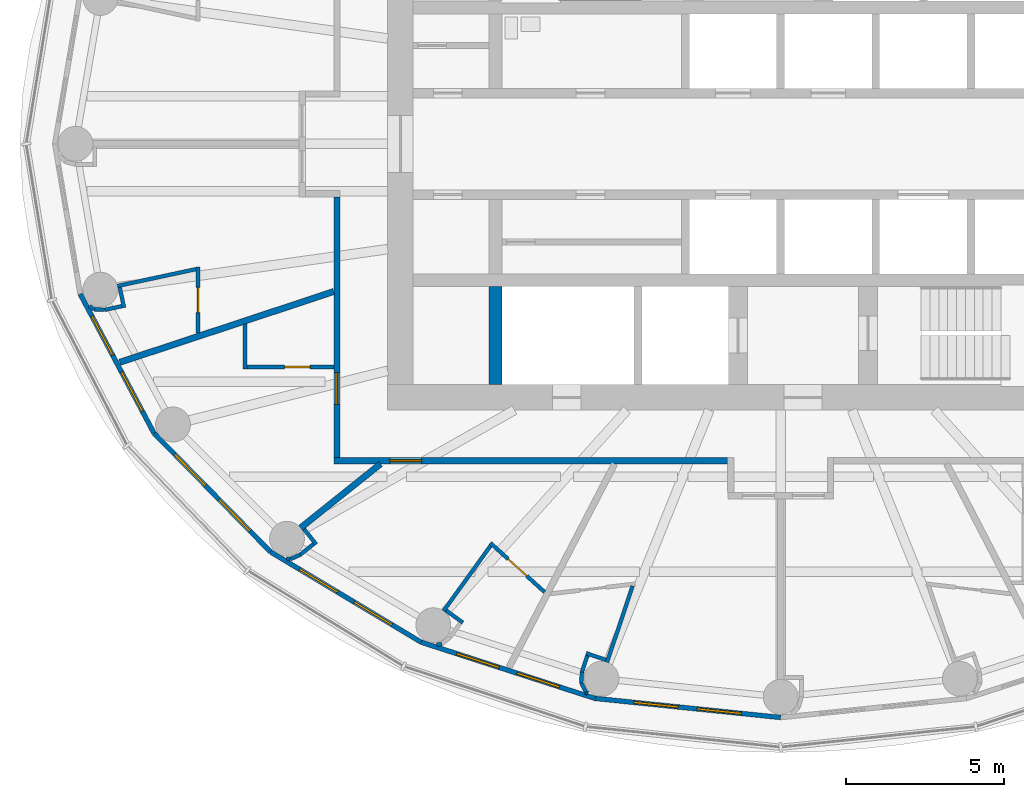
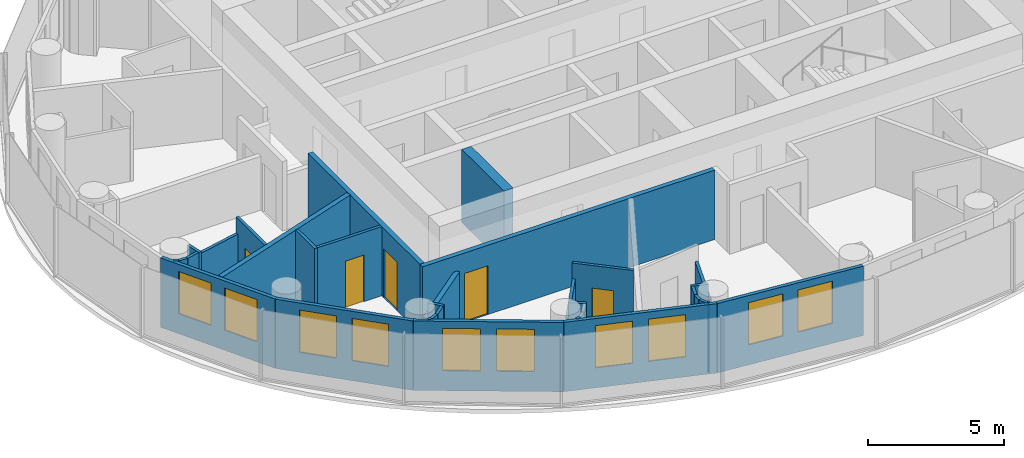
# One storey, part 6 of 16: 32 walls, 10 windows, 5 doors, 15 openings.
"""IFC4 building model written with IfcOpenShell, lengths in metres."""

from ifc_helpers import new_model, si_unit, direction, frame, frame_2d, origin, place, context, subcontext, project, spatial, rectangle, extrude, material, layer, layer_set, type_object, element, fill, save


model = new_model("IFC4")

# Units and contexts
model_context = context("Model", 3, precision=1e-05, world=origin(), true_north=direction((0.0, 1.0)))
body_context = subcontext(model_context, "Body", "Model", "MODEL_VIEW")
ifc_project = project(units=[si_unit("LENGTHUNIT", "METRE"), si_unit("AREAUNIT", "SQUARE_METRE"), si_unit("VOLUMEUNIT", "CUBIC_METRE"), si_unit("PLANEANGLEUNIT", "RADIAN"), si_unit("MASSUNIT", "GRAM", prefix="KILO")], contexts=[model_context])

# Site, building, storey
site_placement = place(None, origin())
site = spatial("IfcSite", under=ifc_project, at=site_placement, CompositionType="ELEMENT")
building_placement = place(site_placement, origin())
building = spatial("IfcBuilding", under=site, at=building_placement, Name="Hankou Lantern Tower", CompositionType="ELEMENT")
storey_placement = place(building_placement, frame((0.0, 0.0, 146.699951171875)))
storey = spatial("IfcBuildingStorey", under=building, at=storey_placement, Name="L38", CompositionType="ELEMENT", Elevation=146.699951171875)

# Wall
ifc_material_1 = material(Name="Concrete C60", Category="concrete")
ifc_layer_1 = layer(ifc_material_1, 0.39990234375)
ifc_layer_set_1 = layer_set([ifc_layer_1], Name="Concrete C60")
wall_type_1 = type_object("IfcWallType", Name="CW4 CORE CROSS WALL 400", PredefinedType="SHEAR", material=ifc_layer_set_1)
wall_1_placement = place(storey_placement, frame((-9.0, -7.60009765625, 0.0), z_axis=(0.0, 0.0, 1.0), x_axis=(0.0, 1.0, 0.0)))
element("IfcWall", 1, at=wall_1_placement, inside=storey, type_object=wall_type_1, Name="Core strip wall L38", PredefinedType="SHEAR", context=body_context, shape_type="SweptSolid", body=[
    extrude(rectangle(XDim=3.10009765625, YDim=0.39990234375, at=frame_2d((1.550048828125, 0.0))), origin(), (0.0, 0.0, 1.0), 3.300048828125),
])

# Wall, openings, windows
ifc_material_2 = material(Name="Aluminium spandrel panel on steel studs", Category="steel")
ifc_layer_2 = layer(ifc_material_2, 0.14990234375)
ifc_layer_set_2 = layer_set([ifc_layer_2], Name="Aluminium spandrel panel on steel studs")
wall_type_2 = type_object("IfcWallType", Name="EW1 INNER SKIN WALL 150", PredefinedType="ELEMENTEDWALL", material=ifc_layer_set_2)
wall_2_placement = place(storey_placement, frame((-22.1015625, -4.73779296875, 0.0), z_axis=(0.0, 0.0, 1.0), x_axis=(0.468428906714, -0.883501193748, 0.0)))
wall_2 = element("IfcWall", 2, at=wall_2_placement, inside=storey, type_object=wall_type_2, Name="Inner skin R14-R15 L38", PredefinedType="ELEMENTEDWALL", context=body_context, shape_type="SweptSolid", body=[
    extrude(rectangle(XDim=4.9736328125, YDim=0.14990234375, at=frame_2d((2.48681640625, 0.0))), origin(), (0.0, 0.0, 1.0), 3.1201171875),
])
opening_1_placement = place(wall_2_placement, frame((0.786865234375, 0.0, 0.89990234375)))
opening_1 = element("IfcOpeningElement", 3, at=opening_1_placement, cuts=wall_2, Name="Opening W3", PredefinedType="OPENING", context=body_context, shape_type="SweptSolid", body=[
    extrude(rectangle(XDim=1.39990234375, YDim=1.89990234375, at=frame_2d((0.699951171875, 0.949951171875))), frame((0.0, 0.0849609375, 0.0), z_axis=(0.0, -1.0, 0.0), x_axis=(1.0, 0.0, 0.0)), (0.0, 0.0, 1.0), 0.169921875),
])
opening_2_placement = place(wall_2_placement, frame((2.786865234375, 0.0, 0.89990234375)))
opening_2 = element("IfcOpeningElement", 4, at=opening_2_placement, cuts=wall_2, Name="Opening W3", PredefinedType="OPENING", context=body_context, shape_type="SweptSolid", body=[
    extrude(rectangle(XDim=1.39990234375, YDim=1.89990234375, at=frame_2d((0.699951171875, 0.949951171875))), frame((0.0, 0.0849609375, 0.0), z_axis=(0.0, -1.0, 0.0), x_axis=(1.0, 0.0, 0.0)), (0.0, 0.0, 1.0), 0.169921875),
])
ifc_material_3 = material(Name="Aluminium framed double glazed window", Category="aluminium")
window_type = type_object("IfcWindowType", Name="W3 GUEST ROOM WINDOW 1400X1900", PartitioningType="DOUBLE_PANEL_VERTICAL", PredefinedType="WINDOW", material=ifc_material_3)
window_1_placement = place(opening_1_placement, origin())
window_1 = element("IfcWindow", 5, at=window_1_placement, inside=storey, type_object=window_type, Name="Window R14.1 L38", OverallHeight=1.89990234375, OverallWidth=1.39990234375, PartitioningType="SINGLE_PANEL", PredefinedType="WINDOW", context=body_context, shape_type="SweptSolid", body=[
    extrude(rectangle(XDim=1.39990234375, YDim=1.89990234375, at=frame_2d((0.699951171875, 0.949951171875))), frame((0.0, 0.030029296875, 0.0), z_axis=(0.0, -1.0, 0.0), x_axis=(1.0, 0.0, 0.0)), (0.0, 0.0, 1.0), 0.06005859375),
])
fill(opening_1, window_1)
window_2_placement = place(opening_2_placement, origin())
window_2 = element("IfcWindow", 6, at=window_2_placement, inside=storey, type_object=window_type, Name="Window R14.2 L38", OverallHeight=1.89990234375, OverallWidth=1.39990234375, PartitioningType="SINGLE_PANEL", PredefinedType="WINDOW", context=body_context, shape_type="SweptSolid", body=[
    extrude(rectangle(XDim=1.39990234375, YDim=1.89990234375, at=frame_2d((0.699951171875, 0.949951171875))), frame((0.0, 0.030029296875, 0.0), z_axis=(0.0, -1.0, 0.0), x_axis=(1.0, 0.0, 0.0)), (0.0, 0.0, 1.0), 0.06005859375),
])
fill(opening_2, window_2)

wall_3_placement = place(storey_placement, frame((-19.771728515625, -9.132080078125, 0.0), z_axis=(0.0, 0.0, 1.0), x_axis=(0.700727467776, -0.71342905457, 0.0)))
wall_3 = element("IfcWall", 7, at=wall_3_placement, inside=storey, type_object=wall_type_2, Name="Inner skin R15-R16 L38", PredefinedType="ELEMENTEDWALL", context=body_context, shape_type="SweptSolid", body=[
    extrude(rectangle(XDim=5.247314453125, YDim=0.14990234375, at=frame_2d((2.62353515625, 0.0))), origin(), (0.0, 0.0, 1.0), 3.1201171875),
])
opening_3_placement = place(wall_3_placement, frame((0.923583984375, 0.0, 0.89990234375)))
opening_3 = element("IfcOpeningElement", 8, at=opening_3_placement, cuts=wall_3, Name="Opening W3", PredefinedType="OPENING", context=body_context, shape_type="SweptSolid", body=[
    extrude(rectangle(XDim=1.39990234375, YDim=1.89990234375, at=frame_2d((0.699951171875, 0.949951171875))), frame((0.0, 0.0849609375, 0.0), z_axis=(0.0, -1.0, 0.0), x_axis=(1.0, 0.0, 0.0)), (0.0, 0.0, 1.0), 0.169921875),
])
opening_4_placement = place(wall_3_placement, frame((2.923583984375, 0.0, 0.89990234375)))
opening_4 = element("IfcOpeningElement", 9, at=opening_4_placement, cuts=wall_3, Name="Opening W3", PredefinedType="OPENING", context=body_context, shape_type="SweptSolid", body=[
    extrude(rectangle(XDim=1.39990234375, YDim=1.89990234375, at=frame_2d((0.699951171875, 0.949951171875))), frame((0.0, 0.0849609375, 0.0), z_axis=(0.0, -1.0, 0.0), x_axis=(1.0, 0.0, 0.0)), (0.0, 0.0, 1.0), 0.169921875),
])
window_3_placement = place(opening_3_placement, origin())
window_3 = element("IfcWindow", 10, at=window_3_placement, inside=storey, type_object=window_type, Name="Window R15.1 L38", OverallHeight=1.89990234375, OverallWidth=1.39990234375, PartitioningType="SINGLE_PANEL", PredefinedType="WINDOW", context=body_context, shape_type="SweptSolid", body=[
    extrude(rectangle(XDim=1.39990234375, YDim=1.89990234375, at=frame_2d((0.699951171875, 0.949951171875))), frame((0.0, 0.030029296875, 0.0), z_axis=(0.0, -1.0, 0.0), x_axis=(1.0, 0.0, 0.0)), (0.0, 0.0, 1.0), 0.06005859375),
])
fill(opening_3, window_3)
window_4_placement = place(opening_4_placement, origin())
window_4 = element("IfcWindow", 11, at=window_4_placement, inside=storey, type_object=window_type, Name="Window R15.2 L38", OverallHeight=1.89990234375, OverallWidth=1.39990234375, PartitioningType="SINGLE_PANEL", PredefinedType="WINDOW", context=body_context, shape_type="SweptSolid", body=[
    extrude(rectangle(XDim=1.39990234375, YDim=1.89990234375, at=frame_2d((0.699951171875, 0.949951171875))), frame((0.0, 0.030029296875, 0.0), z_axis=(0.0, -1.0, 0.0), x_axis=(1.0, 0.0, 0.0)), (0.0, 0.0, 1.0), 0.06005859375),
])
fill(opening_4, window_4)

wall_4_placement = place(storey_placement, frame((-16.0947265625, -12.875732421875, 0.0), z_axis=(0.0, 0.0, 1.0), x_axis=(0.857695199231, -0.514158482587, 0.0)))
wall_4 = element("IfcWall", 12, at=wall_4_placement, inside=storey, type_object=wall_type_2, Name="Inner skin R16-R17 L38", PredefinedType="ELEMENTEDWALL", context=body_context, shape_type="SweptSolid", body=[
    extrude(rectangle(XDim=5.5361328125, YDim=0.14990234375, at=frame_2d((2.76806640625, 0.0))), origin(), (0.0, 0.0, 1.0), 3.1201171875),
])
opening_5_placement = place(wall_4_placement, frame((1.068115234375, 0.0, 0.89990234375)))
opening_5 = element("IfcOpeningElement", 13, at=opening_5_placement, cuts=wall_4, Name="Opening W3", PredefinedType="OPENING", context=body_context, shape_type="SweptSolid", body=[
    extrude(rectangle(XDim=1.39990234375, YDim=1.89990234375, at=frame_2d((0.699951171875, 0.949951171875))), frame((0.0, 0.0849609375, 0.0), z_axis=(0.0, -1.0, 0.0), x_axis=(1.0, 0.0, 0.0)), (0.0, 0.0, 1.0), 0.169921875),
])
opening_6_placement = place(wall_4_placement, frame((3.068115234375, 0.0, 0.89990234375)))
opening_6 = element("IfcOpeningElement", 14, at=opening_6_placement, cuts=wall_4, Name="Opening W3", PredefinedType="OPENING", context=body_context, shape_type="SweptSolid", body=[
    extrude(rectangle(XDim=1.39990234375, YDim=1.89990234375, at=frame_2d((0.699951171875, 0.949951171875))), frame((0.0, 0.0849609375, 0.0), z_axis=(0.0, -1.0, 0.0), x_axis=(1.0, 0.0, 0.0)), (0.0, 0.0, 1.0), 0.169921875),
])
window_5_placement = place(opening_5_placement, origin())
window_5 = element("IfcWindow", 15, at=window_5_placement, inside=storey, type_object=window_type, Name="Window R16.1 L38", OverallHeight=1.89990234375, OverallWidth=1.39990234375, PartitioningType="SINGLE_PANEL", PredefinedType="WINDOW", context=body_context, shape_type="SweptSolid", body=[
    extrude(rectangle(XDim=1.39990234375, YDim=1.89990234375, at=frame_2d((0.699951171875, 0.949951171875))), frame((0.0, 0.030029296875, 0.0), z_axis=(0.0, -1.0, 0.0), x_axis=(1.0, 0.0, 0.0)), (0.0, 0.0, 1.0), 0.06005859375),
])
fill(opening_5, window_5)
window_6_placement = place(opening_6_placement, origin())
window_6 = element("IfcWindow", 16, at=window_6_placement, inside=storey, type_object=window_type, Name="Window R16.2 L38", OverallHeight=1.89990234375, OverallWidth=1.39990234375, PartitioningType="SINGLE_PANEL", PredefinedType="WINDOW", context=body_context, shape_type="SweptSolid", body=[
    extrude(rectangle(XDim=1.39990234375, YDim=1.89990234375, at=frame_2d((0.699951171875, 0.949951171875))), frame((0.0, 0.030029296875, 0.0), z_axis=(0.0, -1.0, 0.0), x_axis=(1.0, 0.0, 0.0)), (0.0, 0.0, 1.0), 0.06005859375),
])
fill(opening_6, window_6)

wall_5_placement = place(storey_placement, frame((-11.346435546875, -15.72216796875, 0.0), z_axis=(0.0, 0.0, 1.0), x_axis=(0.951432482129, -0.307857486429, 0.0)))
wall_5 = element("IfcWall", 17, at=wall_5_placement, inside=storey, type_object=wall_type_2, Name="Inner skin R17-R18 L38", PredefinedType="ELEMENTEDWALL", context=body_context, shape_type="SweptSolid", body=[
    extrude(rectangle(XDim=5.76611328125, YDim=0.14990234375, at=frame_2d((2.883056640625, 0.0))), origin(), (0.0, 0.0, 1.0), 3.1201171875),
])
opening_7_placement = place(wall_5_placement, frame((1.18310546875, 0.0, 0.89990234375)))
opening_7 = element("IfcOpeningElement", 18, at=opening_7_placement, cuts=wall_5, Name="Opening W3", PredefinedType="OPENING", context=body_context, shape_type="SweptSolid", body=[
    extrude(rectangle(XDim=1.39990234375, YDim=1.89990234375, at=frame_2d((0.699951171875, 0.949951171875))), frame((0.0, 0.0849609375, 0.0), z_axis=(0.0, -1.0, 0.0), x_axis=(1.0, 0.0, 0.0)), (0.0, 0.0, 1.0), 0.169921875),
])
opening_8_placement = place(wall_5_placement, frame((3.18310546875, 0.0, 0.89990234375)))
opening_8 = element("IfcOpeningElement", 19, at=opening_8_placement, cuts=wall_5, Name="Opening W3", PredefinedType="OPENING", context=body_context, shape_type="SweptSolid", body=[
    extrude(rectangle(XDim=1.39990234375, YDim=1.89990234375, at=frame_2d((0.699951171875, 0.949951171875))), frame((0.0, 0.0849609375, 0.0), z_axis=(0.0, -1.0, 0.0), x_axis=(1.0, 0.0, 0.0)), (0.0, 0.0, 1.0), 0.169921875),
])
window_7_placement = place(opening_7_placement, origin())
window_7 = element("IfcWindow", 20, at=window_7_placement, inside=storey, type_object=window_type, Name="Window R17.1 L38", OverallHeight=1.89990234375, OverallWidth=1.39990234375, PartitioningType="SINGLE_PANEL", PredefinedType="WINDOW", context=body_context, shape_type="SweptSolid", body=[
    extrude(rectangle(XDim=1.39990234375, YDim=1.89990234375, at=frame_2d((0.699951171875, 0.949951171875))), frame((0.0, 0.030029296875, 0.0), z_axis=(0.0, -1.0, 0.0), x_axis=(1.0, 0.0, 0.0)), (0.0, 0.0, 1.0), 0.06005859375),
])
fill(opening_7, window_7)
window_8_placement = place(opening_8_placement, origin())
window_8 = element("IfcWindow", 21, at=window_8_placement, inside=storey, type_object=window_type, Name="Window R17.2 L38", OverallHeight=1.89990234375, OverallWidth=1.39990234375, PartitioningType="SINGLE_PANEL", PredefinedType="WINDOW", context=body_context, shape_type="SweptSolid", body=[
    extrude(rectangle(XDim=1.39990234375, YDim=1.89990234375, at=frame_2d((0.699951171875, 0.949951171875))), frame((0.0, 0.030029296875, 0.0), z_axis=(0.0, -1.0, 0.0), x_axis=(1.0, 0.0, 0.0)), (0.0, 0.0, 1.0), 0.06005859375),
])
fill(opening_8, window_8)

wall_6_placement = place(storey_placement, frame((-5.8603515625, -17.497314453125, 0.0), z_axis=(0.0, 0.0, 1.0), x_axis=(0.994751738032, -0.102318032045, 0.0)))
wall_6 = element("IfcWall", 22, at=wall_6_placement, inside=storey, type_object=wall_type_2, Name="Inner skin R18-R19 L38", PredefinedType="ELEMENTEDWALL", context=body_context, shape_type="SweptSolid", body=[
    extrude(rectangle(XDim=5.891357421875, YDim=0.14990234375, at=frame_2d((2.94580078125, 0.0))), origin(), (0.0, 0.0, 1.0), 3.1201171875),
])
opening_9_placement = place(wall_6_placement, frame((1.24560546875, 0.0, 0.89990234375)))
opening_9 = element("IfcOpeningElement", 23, at=opening_9_placement, cuts=wall_6, Name="Opening W3", PredefinedType="OPENING", context=body_context, shape_type="SweptSolid", body=[
    extrude(rectangle(XDim=1.39990234375, YDim=1.89990234375, at=frame_2d((0.699951171875, 0.949951171875))), frame((0.0, 0.0849609375, 0.0), z_axis=(0.0, -1.0, 0.0), x_axis=(1.0, 0.0, 0.0)), (0.0, 0.0, 1.0), 0.169921875),
])
opening_10_placement = place(wall_6_placement, frame((3.24560546875, 0.0, 0.89990234375)))
opening_10 = element("IfcOpeningElement", 24, at=opening_10_placement, cuts=wall_6, Name="Opening W3", PredefinedType="OPENING", context=body_context, shape_type="SweptSolid", body=[
    extrude(rectangle(XDim=1.39990234375, YDim=1.89990234375, at=frame_2d((0.699951171875, 0.949951171875))), frame((0.0, 0.0849609375, 0.0), z_axis=(0.0, -1.0, 0.0), x_axis=(1.0, 0.0, 0.0)), (0.0, 0.0, 1.0), 0.169921875),
])
window_9_placement = place(opening_9_placement, origin())
window_9 = element("IfcWindow", 25, at=window_9_placement, inside=storey, type_object=window_type, Name="Window R18.1 L38", OverallHeight=1.89990234375, OverallWidth=1.39990234375, PartitioningType="SINGLE_PANEL", PredefinedType="WINDOW", context=body_context, shape_type="SweptSolid", body=[
    extrude(rectangle(XDim=1.39990234375, YDim=1.89990234375, at=frame_2d((0.699951171875, 0.949951171875))), frame((0.0, 0.030029296875, 0.0), z_axis=(0.0, -1.0, 0.0), x_axis=(1.0, 0.0, 0.0)), (0.0, 0.0, 1.0), 0.06005859375),
])
fill(opening_9, window_9)
window_10_placement = place(opening_10_placement, origin())
window_10 = element("IfcWindow", 26, at=window_10_placement, inside=storey, type_object=window_type, Name="Window R18.2 L38", OverallHeight=1.89990234375, OverallWidth=1.39990234375, PartitioningType="SINGLE_PANEL", PredefinedType="WINDOW", context=body_context, shape_type="SweptSolid", body=[
    extrude(rectangle(XDim=1.39990234375, YDim=1.89990234375, at=frame_2d((0.699951171875, 0.949951171875))), frame((0.0, 0.030029296875, 0.0), z_axis=(0.0, -1.0, 0.0), x_axis=(1.0, 0.0, 0.0)), (0.0, 0.0, 1.0), 0.06005859375),
])
fill(opening_10, window_10)

# Walls
ifc_material_4 = material(Name="Masonry lightweight concrete block", Category="masonry")
ifc_layer_3 = layer(ifc_material_4, 0.199951171875)
ifc_layer_set_3 = layer_set([ifc_layer_3], Name="Masonry lightweight concrete block")
wall_type_3 = type_object("IfcWallType", Name="IW1 GUEST ROOM PARTY WALL 200", PredefinedType="PARTITIONING", material=ifc_layer_set_3)
wall_7_placement = place(storey_placement, frame((-14.10009765625, -4.661376953125, 0.0), z_axis=(0.0, 0.0, 1.0), x_axis=(-0.949453216399, -0.313908569285, 0.0)))
element("IfcWall", 27, at=wall_7_placement, inside=storey, type_object=wall_type_3, Name="Party wall R14-R15", PredefinedType="PARTITIONING", context=body_context, shape_type="SweptSolid", body=[
    extrude(rectangle(XDim=7.108642578125, YDim=0.199951171875, at=frame_2d((3.55419921875, 0.0))), origin(), (0.0, 0.0, 1.0), 3.1201171875),
])
wall_8_placement = place(storey_placement, frame((-12.625, -10.10009765625, 0.0), z_axis=(0.0, 0.0, 1.0), x_axis=(-0.780876185034, -0.624685827954, 0.0)))
element("IfcWall", 28, at=wall_8_placement, inside=storey, type_object=wall_type_3, Name="Party wall R16", PredefinedType="PARTITIONING", context=body_context, shape_type="SweptSolid", body=[
    extrude(rectangle(XDim=3.229248046875, YDim=0.199951171875, at=frame_2d((1.61474609375, 0.0))), origin(), (0.0, 0.0, 1.0), 2.420166015625),
])

# Wall, opening, door
ifc_material_5 = material(Name="Masonry lightweight concrete block", Category="masonry")
ifc_layer_4 = layer(ifc_material_5, 0.199951171875)
ifc_layer_set_4 = layer_set([ifc_layer_4], Name="Masonry lightweight concrete block")
wall_type_4 = type_object("IfcWallType", Name="IW2 CORRIDOR WALL 200", PredefinedType="PARTITIONING", material=ifc_layer_set_4)
wall_9_placement = place(storey_placement, frame((-14.0, -1.669921875, 0.0), z_axis=(0.0, 0.0, 1.0), x_axis=(0.0, -1.0, 0.0)))
wall_9 = element("IfcWall", 29, at=wall_9_placement, inside=storey, type_object=wall_type_4, Name="Corridor wall west", PredefinedType="PARTITIONING", context=body_context, shape_type="SweptSolid", body=[
    extrude(rectangle(XDim=8.22998046875, YDim=0.199951171875, at=frame_2d((4.114990234375, 0.0))), origin(), (0.0, 0.0, 1.0), 3.1201171875),
])
opening_11_placement = place(wall_9_placement, frame((5.551513671875, 0.0, 0.0)))
opening_11 = element("IfcOpeningElement", 30, at=opening_11_placement, cuts=wall_9, Name="Opening D1", PredefinedType="OPENING", context=body_context, shape_type="SweptSolid", body=[
    extrude(rectangle(XDim=1.0, YDim=2.199951171875, at=frame_2d((0.5, 1.10009765625))), frame((0.0, 0.10986328125, 0.0), z_axis=(0.0, -1.0, 0.0), x_axis=(1.0, 0.0, 0.0)), (0.0, 0.0, 1.0), 0.219970703125),
])
ifc_material_6 = material(Name="Steel door leaf", Category="steel")
door_type_1 = type_object("IfcDoorType", Name="D1 GUEST ROOM DOOR 1000X2200", OperationType="SINGLE_SWING_LEFT", PredefinedType="DOOR", material=ifc_material_6)
door_1_placement = place(opening_11_placement, origin())
door_1 = element("IfcDoor", 31, at=door_1_placement, inside=storey, type_object=door_type_1, Name="Guest room door 3809", OperationType="SINGLE_SWING_RIGHT", OverallHeight=2.199951171875, OverallWidth=1.0, PredefinedType="DOOR", context=body_context, shape_type="SweptSolid", body=[
    extrude(rectangle(XDim=1.0, YDim=2.199951171875, at=frame_2d((0.5, 1.10009765625))), frame((0.0, 0.02490234375, 0.0), z_axis=(0.0, -1.0, 0.0), x_axis=(1.0, 0.0, 0.0)), (0.0, 0.0, 1.0), 0.050048828125),
])
fill(opening_11, door_1)

wall_10_placement = place(storey_placement, frame((-1.669921875, -10.0, 0.0), z_axis=(0.0, 0.0, 1.0), x_axis=(-1.0, 0.0, 0.0)))
wall_10 = element("IfcWall", 32, at=wall_10_placement, inside=storey, type_object=wall_type_4, Name="Corridor wall south", PredefinedType="PARTITIONING", context=body_context, shape_type="SweptSolid", body=[
    extrude(rectangle(XDim=12.43017578125, YDim=0.199951171875, at=frame_2d((6.215087890625, 0.0))), origin(), (0.0, 0.0, 1.0), 3.1201171875),
])
opening_12_placement = place(wall_10_placement, frame((9.655029296875, 0.0, 0.0)))
opening_12 = element("IfcOpeningElement", 33, at=opening_12_placement, cuts=wall_10, Name="Opening D1", PredefinedType="OPENING", context=body_context, shape_type="SweptSolid", body=[
    extrude(rectangle(XDim=1.0, YDim=2.199951171875, at=frame_2d((0.5, 1.10009765625))), frame((0.0, 0.10986328125, 0.0), z_axis=(0.0, -1.0, 0.0), x_axis=(1.0, 0.0, 0.0)), (0.0, 0.0, 1.0), 0.219970703125),
])
door_2_placement = place(opening_12_placement, origin())
door_2 = element("IfcDoor", 34, at=door_2_placement, inside=storey, type_object=door_type_1, Name="Guest room door 3810", OperationType="SINGLE_SWING_LEFT", OverallHeight=2.199951171875, OverallWidth=1.0, PredefinedType="DOOR", context=body_context, shape_type="SweptSolid", body=[
    extrude(rectangle(XDim=1.0, YDim=2.199951171875, at=frame_2d((0.5, 1.10009765625))), frame((0.0, 0.02490234375, 0.0), z_axis=(0.0, -1.0, 0.0), x_axis=(1.0, 0.0, 0.0)), (0.0, 0.0, 1.0), 0.050048828125),
])
fill(opening_12, door_2)

ifc_material_7 = material(Name="Masonry lightweight concrete block", Category="masonry")
ifc_layer_5 = layer(ifc_material_7, 0.1201171875)
ifc_layer_set_5 = layer_set([ifc_layer_5], Name="Masonry lightweight concrete block")
wall_type_5 = type_object("IfcWallType", Name="IW3 BATHROOM WALL 120", PredefinedType="PARTITIONING", material=ifc_layer_set_5)
wall_11_placement = place(storey_placement, frame((-18.380859375, -5.971435546875, 0.0), z_axis=(0.0, 0.0, 1.0), x_axis=(-0.000934142516, 0.999999563689, 0.0)))
wall_11 = element("IfcWall", 35, at=wall_11_placement, inside=storey, type_object=wall_type_5, Name="Box wall 3808 1", PredefinedType="PARTITIONING", context=body_context, shape_type="SweptSolid", body=[
    extrude(rectangle(XDim=2.0908203125, YDim=0.1201171875, at=frame_2d((1.04541015625, 0.0))), origin(), (0.0, 0.0, 1.0), 3.1201171875),
])
opening_13_placement = place(wall_11_placement, frame((0.6455078125, 0.0, 0.0)))
opening_13 = element("IfcOpeningElement", 36, at=opening_13_placement, cuts=wall_11, Name="Opening D3", PredefinedType="OPENING", context=body_context, shape_type="SweptSolid", body=[
    extrude(rectangle(XDim=0.800048828125, YDim=2.10009765625, at=frame_2d((0.39990234375, 1.050048828125))), frame((0.0, 0.070068359375, 0.0), z_axis=(0.0, -1.0, 0.0), x_axis=(1.0, 0.0, 0.0)), (0.0, 0.0, 1.0), 0.14013671875),
])
ifc_material_8 = material(Name="Timber door leaf", Category="wood")
door_type_2 = type_object("IfcDoorType", Name="D3 BATHROOM DOOR 800X2100", OperationType="SINGLE_SWING_LEFT", PredefinedType="DOOR", material=ifc_material_8)
door_3_placement = place(opening_13_placement, origin())
door_3 = element("IfcDoor", 37, at=door_3_placement, inside=storey, type_object=door_type_2, Name="En-suite bathroom 3808 door", OperationType="SINGLE_SWING_RIGHT", OverallHeight=2.10009765625, OverallWidth=0.800048828125, PredefinedType="DOOR", context=body_context, shape_type="SweptSolid", body=[
    extrude(rectangle(XDim=0.800048828125, YDim=2.10009765625, at=frame_2d((0.39990234375, 1.050048828125))), frame((0.0, 0.02490234375, 0.0), z_axis=(0.0, -1.0, 0.0), x_axis=(1.0, 0.0, 0.0)), (0.0, 0.0, 1.0), 0.050048828125),
])
fill(opening_13, door_3)

# Walls
wall_12_placement = place(storey_placement, frame((-18.44140625, -3.953125, 0.0), z_axis=(0.0, 0.0, 1.0), x_axis=(-0.977801007461, -0.209535652833, 0.0)))
element("IfcWall", 38, at=wall_12_placement, inside=storey, type_object=wall_type_5, Name="Box wall 3808 2", PredefinedType="PARTITIONING", context=body_context, shape_type="SweptSolid", body=[
    extrude(rectangle(XDim=2.5400390625, YDim=0.1201171875, at=frame_2d((1.27001953125, 0.0))), origin(), (0.0, 0.0, 1.0), 2.420166015625),
])
wall_13_placement = place(storey_placement, frame((-20.853759765625, -4.531494140625, 0.0), z_axis=(0.0, 0.0, 1.0), x_axis=(0.209631346779, -0.977780496046, 0.0)))
element("IfcWall", 39, at=wall_13_placement, inside=storey, type_object=wall_type_5, Name="Column casing 3808 return", PredefinedType="PARTITIONING", context=body_context, shape_type="SweptSolid", body=[
    extrude(rectangle(XDim=0.652099609375, YDim=0.1201171875, at=frame_2d((0.326171875, 0.0))), origin(), (0.0, 0.0, 1.0), 3.1201171875),
])
wall_14_placement = place(storey_placement, frame((-20.788330078125, -5.123291015625, 0.0), z_axis=(0.0, 0.0, 1.0), x_axis=(-0.977789415726, -0.209589738521, 0.0)))
element("IfcWall", 40, at=wall_14_placement, inside=storey, type_object=wall_type_5, Name="Column casing 3808", PredefinedType="PARTITIONING", context=body_context, shape_type="SweptSolid", body=[
    extrude(rectangle(XDim=0.5498046875, YDim=0.1201171875, at=frame_2d((0.27490234375, 0.0))), origin(), (0.0, 0.0, 1.0), 3.1201171875),
])
wall_15_placement = place(storey_placement, frame((-21.325927734375, -5.238525390625, 0.0), z_axis=(0.0, 0.0, 1.0), x_axis=(-0.998719689441, 0.050586380797, 0.0)))
element("IfcWall", 41, at=wall_15_placement, inside=storey, type_object=wall_type_5, Name="Column casing 3808", PredefinedType="PARTITIONING", context=body_context, shape_type="SweptSolid", body=[
    extrude(rectangle(XDim=0.337890625, YDim=0.1201171875, at=frame_2d((0.1689453125, 0.0))), origin(), (0.0, 0.0, 1.0), 3.1201171875),
])
wall_16_placement = place(storey_placement, frame((-21.663330078125, -5.221435546875, 0.0), z_axis=(0.0, 0.0, 1.0), x_axis=(-0.839279022252, 0.543700949795, 0.0)))
element("IfcWall", 42, at=wall_16_placement, inside=storey, type_object=wall_type_5, Name="Column casing 3808", PredefinedType="PARTITIONING", context=body_context, shape_type="SweptSolid", body=[
    extrude(rectangle(XDim=0.18017578125, YDim=0.1201171875, at=frame_2d((0.090087890625, 0.0))), origin(), (0.0, 0.0, 1.0), 3.1201171875),
])
wall_17_placement = place(storey_placement, frame((-16.89990234375, -5.687255859375, 0.0), z_axis=(0.0, 0.0, 1.0), x_axis=(0.0, -1.0, 0.0)))
element("IfcWall", 43, at=wall_17_placement, inside=storey, type_object=wall_type_5, Name="Box wall 3809 1", PredefinedType="PARTITIONING", context=body_context, shape_type="SweptSolid", body=[
    extrude(rectangle(XDim=1.414306640625, YDim=0.1201171875, at=frame_2d((0.70703125, 0.0))), origin(), (0.0, 0.0, 1.0), 3.1201171875),
])

# Wall, opening, door
wall_18_placement = place(storey_placement, frame((-14.10009765625, -7.04150390625, 0.0), z_axis=(0.0, 0.0, 1.0), x_axis=(-1.0, 0.0, 0.0)))
wall_18 = element("IfcWall", 44, at=wall_18_placement, inside=storey, type_object=wall_type_5, Name="Box wall 3809 1", PredefinedType="PARTITIONING", context=body_context, shape_type="SweptSolid", body=[
    extrude(rectangle(XDim=2.739990234375, YDim=0.1201171875, at=frame_2d((1.3701171875, 0.0))), origin(), (0.0, 0.0, 1.0), 3.1201171875),
])
opening_14_placement = place(wall_18_placement, frame((0.75, 0.0, 0.0)))
opening_14 = element("IfcOpeningElement", 45, at=opening_14_placement, cuts=wall_18, Name="Opening D3", PredefinedType="OPENING", context=body_context, shape_type="SweptSolid", body=[
    extrude(rectangle(XDim=0.800048828125, YDim=2.10009765625, at=frame_2d((0.39990234375, 1.050048828125))), frame((0.0, 0.070068359375, 0.0), z_axis=(0.0, -1.0, 0.0), x_axis=(1.0, 0.0, 0.0)), (0.0, 0.0, 1.0), 0.14013671875),
])
door_4_placement = place(opening_14_placement, origin())
door_4 = element("IfcDoor", 46, at=door_4_placement, inside=storey, type_object=door_type_2, Name="En-suite bathroom 3809 door", OperationType="SINGLE_SWING_LEFT", OverallHeight=2.10009765625, OverallWidth=0.800048828125, PredefinedType="DOOR", context=body_context, shape_type="SweptSolid", body=[
    extrude(rectangle(XDim=0.800048828125, YDim=2.10009765625, at=frame_2d((0.39990234375, 1.050048828125))), frame((0.0, 0.02490234375, 0.0), z_axis=(0.0, -1.0, 0.0), x_axis=(1.0, 0.0, 0.0)), (0.0, 0.0, 1.0), 0.050048828125),
])
fill(opening_14, door_4)

wall_19_placement = place(storey_placement, frame((-7.44970703125, -14.1416015625, 0.0), z_axis=(0.0, 0.0, 1.0), x_axis=(-0.74113984586, 0.671350675041, 0.0)))
wall_19 = element("IfcWall", 47, at=wall_19_placement, inside=storey, type_object=wall_type_5, Name="Box wall 3810 1", PredefinedType="PARTITIONING", context=body_context, shape_type="SweptSolid", body=[
    extrude(rectangle(XDim=2.308837890625, YDim=0.1201171875, at=frame_2d((1.154296875, 0.0))), origin(), (0.0, 0.0, 1.0), 3.1201171875),
])
opening_15_placement = place(wall_19_placement, frame((0.75439453125, 0.0, 0.0)))
opening_15 = element("IfcOpeningElement", 48, at=opening_15_placement, cuts=wall_19, Name="Opening D3", PredefinedType="OPENING", context=body_context, shape_type="SweptSolid", body=[
    extrude(rectangle(XDim=0.800048828125, YDim=2.10009765625, at=frame_2d((0.39990234375, 1.050048828125))), frame((0.0, 0.070068359375, 0.0), z_axis=(0.0, -1.0, 0.0), x_axis=(1.0, 0.0, 0.0)), (0.0, 0.0, 1.0), 0.14013671875),
])
door_5_placement = place(opening_15_placement, origin())
door_5 = element("IfcDoor", 49, at=door_5_placement, inside=storey, type_object=door_type_2, Name="En-suite bathroom 3810 door", OperationType="SINGLE_SWING_RIGHT", OverallHeight=2.10009765625, OverallWidth=0.800048828125, PredefinedType="DOOR", context=body_context, shape_type="SweptSolid", body=[
    extrude(rectangle(XDim=0.800048828125, YDim=2.10009765625, at=frame_2d((0.39990234375, 1.050048828125))), frame((0.0, 0.02490234375, 0.0), z_axis=(0.0, -1.0, 0.0), x_axis=(1.0, 0.0, 0.0)), (0.0, 0.0, 1.0), 0.050048828125),
])
fill(opening_15, door_5)

# Walls
wall_20_placement = place(storey_placement, frame((-9.1513671875, -12.6806640625, 0.0), z_axis=(0.0, 0.0, 1.0), x_axis=(-0.585258912334, -0.8108464747, 0.0)))
element("IfcWall", 50, at=wall_20_placement, inside=storey, type_object=wall_type_5, Name="Box wall 3810 2", PredefinedType="PARTITIONING", context=body_context, shape_type="SweptSolid", body=[
    extrude(rectangle(XDim=2.5400390625, YDim=0.1201171875, at=frame_2d((1.27001953125, 0.0))), origin(), (0.0, 0.0, 1.0), 2.420166015625),
])
wall_21_placement = place(storey_placement, frame((-10.55419921875, -14.726806640625, 0.0), z_axis=(0.0, 0.0, 1.0), x_axis=(0.811044231224, -0.584984833135, 0.0)))
element("IfcWall", 51, at=wall_21_placement, inside=storey, type_object=wall_type_5, Name="Column casing 3810 return", PredefinedType="PARTITIONING", context=body_context, shape_type="SweptSolid", body=[
    extrude(rectangle(XDim=0.65234375, YDim=0.1201171875, at=frame_2d((0.326171875, 0.0))), origin(), (0.0, 0.0, 1.0), 3.1201171875),
])
wall_22_placement = place(storey_placement, frame((-10.692626953125, -15.78125, 0.0), z_axis=(0.0, 0.0, 1.0), x_axis=(-0.987256785332, -0.159135287777, 0.0)))
element("IfcWall", 52, at=wall_22_placement, inside=storey, type_object=wall_type_5, Name="Column casing 3810", PredefinedType="PARTITIONING", context=body_context, shape_type="SweptSolid", body=[
    extrude(rectangle(XDim=0.157958984375, YDim=0.1201171875, at=frame_2d((0.0791015625, 0.0))), origin(), (0.0, 0.0, 1.0), 3.1201171875),
])
wall_23_placement = place(storey_placement, frame((-4.67138671875, -13.947509765625, 0.0), z_axis=(0.0, 0.0, 1.0), x_axis=(-0.317669167093, -0.948201613729, 0.0)))
element("IfcWall", 53, at=wall_23_placement, inside=storey, type_object=wall_type_5, Name="Box wall 3811 2", PredefinedType="PARTITIONING", context=body_context, shape_type="SweptSolid", body=[
    extrude(rectangle(XDim=2.5400390625, YDim=0.1201171875, at=frame_2d((1.27001953125, 0.0))), origin(), (0.0, 0.0, 1.0), 2.420166015625),
])
wall_24_placement = place(storey_placement, frame((-5.51611328125, -16.280029296875, 0.0), z_axis=(0.0, 0.0, 1.0), x_axis=(-0.948157944392, 0.317799484717, 0.0)))
element("IfcWall", 54, at=wall_24_placement, inside=storey, type_object=wall_type_5, Name="Column casing 3811 return", PredefinedType="PARTITIONING", context=body_context, shape_type="SweptSolid", body=[
    extrude(rectangle(XDim=0.652099609375, YDim=0.1201171875, at=frame_2d((0.326171875, 0.0))), origin(), (0.0, 0.0, 1.0), 3.1201171875),
])
wall_25_placement = place(storey_placement, frame((-6.0966796875, -16.148681640625, 0.0), z_axis=(0.0, 0.0, 1.0), x_axis=(-0.317292604854, -0.948327687514, 0.0)))
element("IfcWall", 55, at=wall_25_placement, inside=storey, type_object=wall_type_5, Name="Column casing 3811", PredefinedType="PARTITIONING", context=body_context, shape_type="SweptSolid", body=[
    extrude(rectangle(XDim=0.550048828125, YDim=0.1201171875, at=frame_2d((0.27490234375, 0.0))), origin(), (0.0, 0.0, 1.0), 3.1201171875),
])
for number, where, z_axis, x_axis, name in (
    (56, (-6.271240234375, -16.67041015625, 0.0), (0.0, 0.0, 1.0), (-0.061477694849, -0.998108457552, 0.0), "Column casing 3811"),
    (57, (-6.2919921875, -17.00732421875, 0.0), (0.0, 0.0, 1.0), (0.445477128334, -0.895293319606, 0.0), "Column casing 3811"),
):
    element("IfcWall", number, at=place(storey_placement, frame(where, z_axis=z_axis, x_axis=x_axis)), inside=storey, type_object=wall_type_5, Name=name, PredefinedType="PARTITIONING", context=body_context, shape_type="SweptSolid", body=[
        extrude(rectangle(XDim=0.337646484375, YDim=0.1201171875, at=frame_2d((0.1689453125, 0.0))), origin(), (0.0, 0.0, 1.0), 3.1201171875),
    ])
wall_26_placement = place(storey_placement, frame((-6.1416015625, -17.3095703125, 0.0), z_axis=(0.0, 0.0, 1.0), x_axis=(0.835039693181, -0.550189704386, 0.0)))
element("IfcWall", 58, at=wall_26_placement, inside=storey, type_object=wall_type_5, Name="Column casing 3811", PredefinedType="PARTITIONING", context=body_context, shape_type="SweptSolid", body=[
    extrude(rectangle(XDim=0.0625, YDim=0.1201171875, at=frame_2d((0.03125, 0.0))), origin(), (0.0, 0.0, 1.0), 3.1201171875),
])
ifc_material_9 = material(Name="Masonry lightweight concrete block", Category="masonry")
ifc_layer_6 = layer(ifc_material_9, 0.1201171875)
ifc_layer_set_6 = layer_set([ifc_layer_6], Name="Masonry lightweight concrete block")
wall_type_6 = type_object("IfcWallType", Name="IW4 PARTITION 120", PredefinedType="PARTITIONING", material=ifc_layer_set_6)
wall_27_placement = place(storey_placement, frame((-15.037353515625, -12.157958984375, 0.0), z_axis=(0.0, 0.0, 1.0), x_axis=(0.624840920722, -0.78075208856, 0.0)))
element("IfcWall", 59, at=wall_27_placement, inside=storey, type_object=wall_type_6, Name="Column casing R16 return", PredefinedType="PARTITIONING", context=body_context, shape_type="SweptSolid", body=[
    extrude(rectangle(XDim=0.6123046875, YDim=0.1201171875, at=frame_2d((0.30615234375, 0.0))), origin(), (0.0, 0.0, 1.0), 3.1201171875),
])
wall_28_placement = place(storey_placement, frame((-14.7392578125, -12.626708984375, 0.0), z_axis=(0.0, 0.0, 1.0), x_axis=(-0.780912119987, -0.624640905527, 0.0)))
element("IfcWall", 60, at=wall_28_placement, inside=storey, type_object=wall_type_6, Name="Column casing R16", PredefinedType="PARTITIONING", context=body_context, shape_type="SweptSolid", body=[
    extrude(rectangle(XDim=0.5498046875, YDim=0.1201171875, at=frame_2d((0.27490234375, 0.0))), origin(), (0.0, 0.0, 1.0), 3.1201171875),
])
wall_29_placement = place(storey_placement, frame((-15.168701171875, -12.97021484375, 0.0), z_axis=(0.0, 0.0, 1.0), x_axis=(-0.915974725257, -0.401235968838, 0.0)))
element("IfcWall", 61, at=wall_29_placement, inside=storey, type_object=wall_type_6, Name="Column casing R16", PredefinedType="PARTITIONING", context=body_context, shape_type="SweptSolid", body=[
    extrude(rectangle(XDim=0.337646484375, YDim=0.1201171875, at=frame_2d((0.1689453125, 0.0))), origin(), (0.0, 0.0, 1.0), 3.1201171875),
])
wall_30_placement = place(storey_placement, frame((-15.47802734375, -13.105712890625, 0.0), z_axis=(0.0, 0.0, 1.0), x_axis=(-0.993778813557, 0.111371763588, 0.0)))
element("IfcWall", 62, at=wall_30_placement, inside=storey, type_object=wall_type_6, Name="Column casing R16", PredefinedType="PARTITIONING", context=body_context, shape_type="SweptSolid", body=[
    extrude(rectangle(XDim=0.114013671875, YDim=0.1201171875, at=frame_2d((0.05712890625, 0.0))), origin(), (0.0, 0.0, 1.0), 3.1201171875),
])

save(model, "model.ifc")
